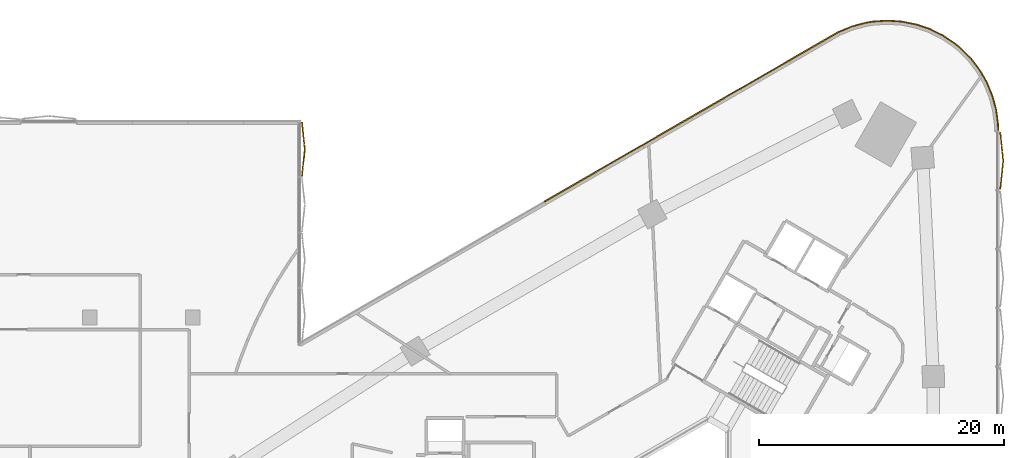
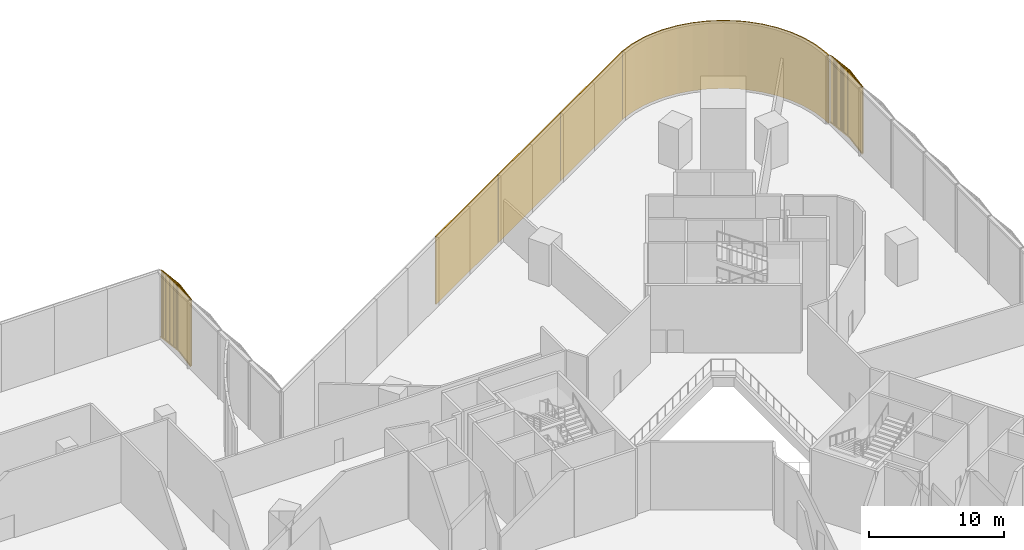
# One storey, part 32 of 32: 6 coverings.
"""IFC4 building model written with IfcOpenShell, lengths in metres."""

from ifc_helpers import new_model, si_unit, direction, frame, frame_2d, origin, origin_2d, place, context, subcontext, project, spatial, polyline, rectangle, outline, extrude, source, transform, mapped, material, layer, layer_set, type_object, element, save


model = new_model("IFC4")

# Units and contexts
model_context = context("Model", 3, precision=1e-05, world=origin(), true_north=direction((0.0, 1.0)))
body_context = subcontext(model_context, "Body", "Model", "MODEL_VIEW")
ifc_project = project(units=[si_unit("LENGTHUNIT", "METRE"), si_unit("AREAUNIT", "SQUARE_METRE"), si_unit("VOLUMEUNIT", "CUBIC_METRE"), si_unit("PLANEANGLEUNIT", "RADIAN"), si_unit("MASSUNIT", "GRAM", prefix="KILO")], contexts=[model_context])

# Site, building, storey
site_placement = place(None, origin())
site = spatial("IfcSite", under=ifc_project, at=site_placement, CompositionType="ELEMENT")
building_placement = place(site_placement, origin())
building = spatial("IfcBuilding", under=site, at=building_placement, Name="Tamra Quay Hotel Tower", CompositionType="ELEMENT")
storey_placement = place(building_placement, frame((0.0, 0.0, 7.5)))
storey = spatial("IfcBuildingStorey", under=building, at=storey_placement, Name="L01", CompositionType="ELEMENT", Elevation=7.5)

# Coverings
ifc_material_1 = material(Name="Precast concrete M60 terracotta-coloured pierced relief", Category="masonry")
ifc_layer = layer(ifc_material_1, 0.10009765625)
ifc_layer_set = layer_set([ifc_layer], Name="PIERCED RELIEF PANEL 100")
covering_type_1 = type_object("IfcCoveringType", Name="PIERCED RELIEF PANEL 100", PredefinedType="CLADDING", material=ifc_layer_set)
covering_1_placement = place(storey_placement, origin())
element("IfcCovering", 1, at=covering_1_placement, inside=storey, type_object=covering_type_1, Name="Relief panel L01.c2", PredefinedType="CLADDING", context=body_context, shape_type="SweptSolid", body=[
    extrude(outline(polyline([(27.0, 31.177001953125), (26.980712890625, 31.765625), (26.8271484375, 32.9326171875), (26.5224609375, 34.06982421875), (26.07177734375, 35.157470703125), (25.483154296875, 36.177001953125), (24.7666015625, 37.111083984375), (23.93408203125, 37.943359375), (23.478759765625, 38.317138671875), (22.5, 38.97119140625), (21.444091796875, 39.491943359375), (20.329345703125, 39.870361328125), (19.1748046875, 40.099853515625), (18.0, 40.177001953125), (16.8251953125, 40.099853515625), (16.244140625, 40.00390625), (15.10693359375, 39.69921875), (14.019287109375, 39.248779296875), (13.981201171875, 39.341064453125), (15.074951171875, 39.7939453125), (16.22314453125, 40.101806640625), (16.813720703125, 40.19921875), (18.0, 40.27685546875), (19.187744140625, 40.198974609375), (20.355224609375, 39.966796875), (21.482421875, 39.584228515625), (22.550048828125, 39.057861328125), (23.538330078125, 38.3974609375), (24.001220703125, 38.017578125), (24.841796875, 37.177001953125), (25.56640625, 36.232666015625), (26.16162109375, 35.20166015625), (26.616943359375, 34.10205078125), (26.925048828125, 32.9521484375), (27.080322265625, 31.773681640625), (27.099853515625, 31.18017578125), (27.0, 31.177001953125)])), origin(), (0.0, 0.0, 1.0), 6.14990234375),
])
for number, where, z_axis, x_axis, name in (
    (2, (9.99267578125, 36.983642578125, 0.0), (0.0, 0.0, 1.0), (-0.866214936261, -0.499671576337, 0.0), "Relief panel L01.NW.00"),
    (3, (1.989013671875, 32.366943359375, 0.0), (0.0, 0.0, 1.0), (-0.866214936261, -0.499671576337, 0.0), "Relief panel L01.NW.02"),
    (4, (-6.014404296875, 27.75, 0.0), (0.0, 0.0, 1.0), (-0.866214936261, -0.499671576337, 0.0), "Relief panel L01.NW.04"),
):
    element("IfcCovering", number, at=place(storey_placement, frame(where, z_axis=z_axis, x_axis=x_axis)), inside=storey, type_object=covering_type_1, Name=name, PredefinedType="CLADDING", context=body_context, shape_type="SweptSolid", body=[
        extrude(rectangle(XDim=9.2197265625, YDim=0.10009765625, at=origin_2d()), origin(), (0.0, 0.0, 1.0), 6.14990234375),
    ])
ifc_material_2 = material(Name="Terracotta baguette extruded", Category="masonry")
covering_type_2 = type_object("IfcCoveringType", Name="BAGUETTE SCREEN PODIUM-SHALLOW H6150", PredefinedType="USERDEFINED", material=ifc_material_2)
shared_shape_1 = source(origin(), body_context, "Body", "SweptSolid", [
    extrude(rectangle(XDim=2.234619140625, YDim=0.06005859375, at=frame_2d((1.1171875, 0.030029296875))), frame((-2.228759765625, -0.0576171875, -0.1201171875), z_axis=(0.0, 0.0, 1.0), x_axis=(0.994521895368, -0.104528463268, 0.0)), (0.0, 0.0, 1.0), 0.1201171875),
    extrude(rectangle(XDim=2.234619140625, YDim=0.06005859375, at=frame_2d((1.1171875, 0.030029296875))), frame((-2.228759765625, -0.0576171875, -6.14990234375), z_axis=(0.0, 0.0, 1.0), x_axis=(0.994521895368, -0.104528463268, 0.0)), (0.0, 0.0, 1.0), 0.1201171875),
    extrude(rectangle(XDim=0.094970703125, YDim=0.10009765625, at=frame_2d((0.04736328125, 0.050048828125))), frame((-2.219482421875, -0.13330078125, -6.090087890625)), (0.0, 0.0, 1.0), 6.030029296875),
    extrude(rectangle(XDim=0.094970703125, YDim=0.10009765625, at=frame_2d((0.04736328125, 0.050048828125))), frame((-2.118408203125, -0.14404296875, -6.090087890625)), (0.0, 0.0, 1.0), 6.030029296875),
    extrude(rectangle(XDim=0.094970703125, YDim=0.10009765625, at=frame_2d((0.04736328125, 0.050048828125))), frame((-2.017333984375, -0.154541015625, -6.090087890625)), (0.0, 0.0, 1.0), 6.030029296875),
    extrude(rectangle(XDim=0.094970703125, YDim=0.10009765625, at=frame_2d((0.04736328125, 0.050048828125))), frame((-1.91650390625, -0.1650390625, -6.090087890625)), (0.0, 0.0, 1.0), 6.030029296875),
    extrude(rectangle(XDim=0.094970703125, YDim=0.10009765625, at=frame_2d((0.04736328125, 0.050048828125))), frame((-1.8154296875, -0.17578125, -6.090087890625)), (0.0, 0.0, 1.0), 6.030029296875),
    extrude(rectangle(XDim=0.094970703125, YDim=0.10009765625, at=frame_2d((0.04736328125, 0.050048828125))), frame((-1.71435546875, -0.186279296875, -6.090087890625)), (0.0, 0.0, 1.0), 6.030029296875),
    extrude(rectangle(XDim=0.094970703125, YDim=0.10009765625, at=frame_2d((0.04736328125, 0.050048828125))), frame((-1.61328125, -0.197021484375, -6.090087890625)), (0.0, 0.0, 1.0), 6.030029296875),
    extrude(rectangle(XDim=0.094970703125, YDim=0.10009765625, at=frame_2d((0.04736328125, 0.050048828125))), frame((-1.512451171875, -0.20751953125, -6.090087890625)), (0.0, 0.0, 1.0), 6.030029296875),
    extrude(rectangle(XDim=0.094970703125, YDim=0.10009765625, at=frame_2d((0.04736328125, 0.050048828125))), frame((-1.411376953125, -0.21826171875, -6.090087890625)), (0.0, 0.0, 1.0), 6.030029296875),
    extrude(rectangle(XDim=0.094970703125, YDim=0.10009765625, at=frame_2d((0.04736328125, 0.050048828125))), frame((-1.310302734375, -0.228759765625, -6.090087890625)), (0.0, 0.0, 1.0), 6.030029296875),
    extrude(rectangle(XDim=0.094970703125, YDim=0.10009765625, at=frame_2d((0.04736328125, 0.050048828125))), frame((-1.209228515625, -0.239501953125, -6.090087890625)), (0.0, 0.0, 1.0), 6.030029296875),
    extrude(rectangle(XDim=0.094970703125, YDim=0.10009765625, at=frame_2d((0.04736328125, 0.050048828125))), frame((-1.108154296875, -0.25, -6.090087890625)), (0.0, 0.0, 1.0), 6.030029296875),
    extrude(rectangle(XDim=0.094970703125, YDim=0.10009765625, at=frame_2d((0.04736328125, 0.050048828125))), frame((-1.00732421875, -0.2607421875, -6.090087890625)), (0.0, 0.0, 1.0), 6.030029296875),
    extrude(rectangle(XDim=0.094970703125, YDim=0.10009765625, at=frame_2d((0.04736328125, 0.050048828125))), frame((-0.90625, -0.271240234375, -6.090087890625)), (0.0, 0.0, 1.0), 6.030029296875),
    extrude(rectangle(XDim=0.094970703125, YDim=0.10009765625, at=frame_2d((0.04736328125, 0.050048828125))), frame((-0.80517578125, -0.281982421875, -6.090087890625)), (0.0, 0.0, 1.0), 6.030029296875),
    extrude(rectangle(XDim=0.094970703125, YDim=0.10009765625, at=frame_2d((0.04736328125, 0.050048828125))), frame((-0.7041015625, -0.29248046875, -6.090087890625)), (0.0, 0.0, 1.0), 6.030029296875),
    extrude(rectangle(XDim=0.094970703125, YDim=0.10009765625, at=frame_2d((0.04736328125, 0.050048828125))), frame((-0.60302734375, -0.30322265625, -6.090087890625)), (0.0, 0.0, 1.0), 6.030029296875),
    extrude(rectangle(XDim=0.094970703125, YDim=0.10009765625, at=frame_2d((0.04736328125, 0.050048828125))), frame((-0.502197265625, -0.313720703125, -6.090087890625)), (0.0, 0.0, 1.0), 6.030029296875),
    extrude(rectangle(XDim=0.094970703125, YDim=0.10009765625, at=frame_2d((0.04736328125, 0.050048828125))), frame((-0.401123046875, -0.324462890625, -6.090087890625)), (0.0, 0.0, 1.0), 6.030029296875),
    extrude(rectangle(XDim=0.094970703125, YDim=0.10009765625, at=frame_2d((0.04736328125, 0.050048828125))), frame((-0.300048828125, -0.3349609375, -6.090087890625)), (0.0, 0.0, 1.0), 6.030029296875),
    extrude(rectangle(XDim=0.094970703125, YDim=0.10009765625, at=frame_2d((0.04736328125, 0.050048828125))), frame((-0.198974609375, -0.345703125, -6.090087890625)), (0.0, 0.0, 1.0), 6.030029296875),
    extrude(rectangle(XDim=0.094970703125, YDim=0.10009765625, at=frame_2d((0.04736328125, 0.050048828125))), frame((-0.097900390625, -0.356201171875, -6.090087890625)), (0.0, 0.0, 1.0), 6.030029296875),
    extrude(rectangle(XDim=2.234619140625, YDim=0.06005859375, at=frame_2d((1.1171875, 0.030029296875))), frame((0.00634765625, -0.291259765625, -0.1201171875), z_axis=(0.0, 0.0, 1.0), x_axis=(0.994521895368, 0.104528463268, 0.0)), (0.0, 0.0, 1.0), 0.1201171875),
    extrude(rectangle(XDim=2.234619140625, YDim=0.06005859375, at=frame_2d((1.1171875, 0.030029296875))), frame((0.00634765625, -0.291259765625, -6.14990234375), z_axis=(0.0, 0.0, 1.0), x_axis=(0.994521895368, 0.104528463268, 0.0)), (0.0, 0.0, 1.0), 0.1201171875),
    extrude(rectangle(XDim=0.094970703125, YDim=0.10009765625, at=frame_2d((0.04736328125, 0.050048828125))), frame((0.0029296875, -0.356201171875, -6.090087890625)), (0.0, 0.0, 1.0), 6.030029296875),
    extrude(rectangle(XDim=0.094970703125, YDim=0.10009765625, at=frame_2d((0.04736328125, 0.050048828125))), frame((0.10400390625, -0.345703125, -6.090087890625)), (0.0, 0.0, 1.0), 6.030029296875),
    extrude(rectangle(XDim=0.094970703125, YDim=0.10009765625, at=frame_2d((0.04736328125, 0.050048828125))), frame((0.205078125, -0.3349609375, -6.090087890625)), (0.0, 0.0, 1.0), 6.030029296875),
    extrude(rectangle(XDim=0.094970703125, YDim=0.10009765625, at=frame_2d((0.04736328125, 0.050048828125))), frame((0.30615234375, -0.324462890625, -6.090087890625)), (0.0, 0.0, 1.0), 6.030029296875),
    extrude(rectangle(XDim=0.094970703125, YDim=0.10009765625, at=frame_2d((0.04736328125, 0.050048828125))), frame((0.406982421875, -0.313720703125, -6.090087890625)), (0.0, 0.0, 1.0), 6.030029296875),
    extrude(rectangle(XDim=0.094970703125, YDim=0.10009765625, at=frame_2d((0.04736328125, 0.050048828125))), frame((0.508056640625, -0.30322265625, -6.090087890625)), (0.0, 0.0, 1.0), 6.030029296875),
    extrude(rectangle(XDim=0.094970703125, YDim=0.10009765625, at=frame_2d((0.04736328125, 0.050048828125))), frame((0.609130859375, -0.29248046875, -6.090087890625)), (0.0, 0.0, 1.0), 6.030029296875),
    extrude(rectangle(XDim=0.094970703125, YDim=0.10009765625, at=frame_2d((0.04736328125, 0.050048828125))), frame((0.710205078125, -0.281982421875, -6.090087890625)), (0.0, 0.0, 1.0), 6.030029296875),
    extrude(rectangle(XDim=0.094970703125, YDim=0.10009765625, at=frame_2d((0.04736328125, 0.050048828125))), frame((0.811279296875, -0.271240234375, -6.090087890625)), (0.0, 0.0, 1.0), 6.030029296875),
    extrude(rectangle(XDim=0.094970703125, YDim=0.10009765625, at=frame_2d((0.04736328125, 0.050048828125))), frame((0.912109375, -0.2607421875, -6.090087890625)), (0.0, 0.0, 1.0), 6.030029296875),
    extrude(rectangle(XDim=0.094970703125, YDim=0.10009765625, at=frame_2d((0.04736328125, 0.050048828125))), frame((1.01318359375, -0.25, -6.090087890625)), (0.0, 0.0, 1.0), 6.030029296875),
    extrude(rectangle(XDim=0.094970703125, YDim=0.10009765625, at=frame_2d((0.04736328125, 0.050048828125))), frame((1.1142578125, -0.239501953125, -6.090087890625)), (0.0, 0.0, 1.0), 6.030029296875),
    extrude(rectangle(XDim=0.094970703125, YDim=0.10009765625, at=frame_2d((0.04736328125, 0.050048828125))), frame((1.21533203125, -0.228759765625, -6.090087890625)), (0.0, 0.0, 1.0), 6.030029296875),
    extrude(rectangle(XDim=0.094970703125, YDim=0.10009765625, at=frame_2d((0.04736328125, 0.050048828125))), frame((1.31640625, -0.21826171875, -6.090087890625)), (0.0, 0.0, 1.0), 6.030029296875),
    extrude(rectangle(XDim=0.094970703125, YDim=0.10009765625, at=frame_2d((0.04736328125, 0.050048828125))), frame((1.417236328125, -0.20751953125, -6.090087890625)), (0.0, 0.0, 1.0), 6.030029296875),
    extrude(rectangle(XDim=0.094970703125, YDim=0.10009765625, at=frame_2d((0.04736328125, 0.050048828125))), frame((1.518310546875, -0.197021484375, -6.090087890625)), (0.0, 0.0, 1.0), 6.030029296875),
    extrude(rectangle(XDim=0.094970703125, YDim=0.10009765625, at=frame_2d((0.04736328125, 0.050048828125))), frame((1.619384765625, -0.186279296875, -6.090087890625)), (0.0, 0.0, 1.0), 6.030029296875),
    extrude(rectangle(XDim=0.094970703125, YDim=0.10009765625, at=frame_2d((0.04736328125, 0.050048828125))), frame((1.720458984375, -0.17578125, -6.090087890625)), (0.0, 0.0, 1.0), 6.030029296875),
    extrude(rectangle(XDim=0.094970703125, YDim=0.10009765625, at=frame_2d((0.04736328125, 0.050048828125))), frame((1.821533203125, -0.1650390625, -6.090087890625)), (0.0, 0.0, 1.0), 6.030029296875),
    extrude(rectangle(XDim=0.094970703125, YDim=0.10009765625, at=frame_2d((0.04736328125, 0.050048828125))), frame((1.92236328125, -0.154541015625, -6.090087890625)), (0.0, 0.0, 1.0), 6.030029296875),
    extrude(rectangle(XDim=0.094970703125, YDim=0.10009765625, at=frame_2d((0.04736328125, 0.050048828125))), frame((2.0234375, -0.14404296875, -6.090087890625)), (0.0, 0.0, 1.0), 6.030029296875),
    extrude(rectangle(XDim=0.094970703125, YDim=0.10009765625, at=frame_2d((0.04736328125, 0.050048828125))), frame((2.12451171875, -0.13330078125, -6.090087890625)), (0.0, 0.0, 1.0), 6.030029296875),
])
covering_2_placement = place(storey_placement, frame((-29.85205078125, 29.73193359375, 6.14990234375), z_axis=(0.0, 0.0, 1.0), x_axis=(0.0, 1.0, 0.0)))
element("IfcCovering", 5, at=covering_2_placement, inside=storey, type_object=covering_type_2, Name="Baguette screen L01.E.f20", ObjectType="BAGUETTE SCREEN", PredefinedType="USERDEFINED", context=body_context, shape_type="MappedRepresentation", body=[
    mapped(shared_shape_1, transform((0.0, 0.0, 0.0), scale=1.0)),
])
shared_shape_2 = source(origin(), body_context, "Body", "SweptSolid", [
    extrude(rectangle(XDim=2.365478515625, YDim=0.06005859375, at=frame_2d((1.1826171875, 0.030029296875))), frame((-2.35888671875, -0.0576171875, -0.1201171875), z_axis=(0.0, 0.0, 1.0), x_axis=(0.994521895368, -0.104528463268, 0.0)), (0.0, 0.0, 1.0), 0.1201171875),
    extrude(rectangle(XDim=2.365478515625, YDim=0.06005859375, at=frame_2d((1.1826171875, 0.030029296875))), frame((-2.35888671875, -0.0576171875, -6.14990234375), z_axis=(0.0, 0.0, 1.0), x_axis=(0.994521895368, -0.104528463268, 0.0)), (0.0, 0.0, 1.0), 0.1201171875),
    extrude(rectangle(XDim=0.094970703125, YDim=0.10009765625, at=frame_2d((0.04736328125, 0.050048828125))), frame((-2.35107421875, -0.133056640625, -6.090087890625)), (0.0, 0.0, 1.0), 6.030029296875),
    extrude(rectangle(XDim=0.094970703125, YDim=0.10009765625, at=frame_2d((0.04736328125, 0.050048828125))), frame((-2.2529296875, -0.1435546875, -6.090087890625)), (0.0, 0.0, 1.0), 6.030029296875),
    extrude(rectangle(XDim=0.094970703125, YDim=0.10009765625, at=frame_2d((0.04736328125, 0.050048828125))), frame((-2.155029296875, -0.15380859375, -6.090087890625)), (0.0, 0.0, 1.0), 6.030029296875),
    extrude(rectangle(XDim=0.094970703125, YDim=0.10009765625, at=frame_2d((0.04736328125, 0.050048828125))), frame((-2.056884765625, -0.1640625, -6.090087890625)), (0.0, 0.0, 1.0), 6.030029296875),
    extrude(rectangle(XDim=0.094970703125, YDim=0.10009765625, at=frame_2d((0.04736328125, 0.050048828125))), frame((-1.958984375, -0.17431640625, -6.090087890625)), (0.0, 0.0, 1.0), 6.030029296875),
    extrude(rectangle(XDim=0.094970703125, YDim=0.10009765625, at=frame_2d((0.04736328125, 0.050048828125))), frame((-1.86083984375, -0.1845703125, -6.090087890625)), (0.0, 0.0, 1.0), 6.030029296875),
    extrude(rectangle(XDim=0.094970703125, YDim=0.10009765625, at=frame_2d((0.04736328125, 0.050048828125))), frame((-1.762939453125, -0.195068359375, -6.090087890625)), (0.0, 0.0, 1.0), 6.030029296875),
    extrude(rectangle(XDim=0.094970703125, YDim=0.10009765625, at=frame_2d((0.04736328125, 0.050048828125))), frame((-1.664794921875, -0.205322265625, -6.090087890625)), (0.0, 0.0, 1.0), 6.030029296875),
    extrude(rectangle(XDim=0.094970703125, YDim=0.10009765625, at=frame_2d((0.04736328125, 0.050048828125))), frame((-1.56689453125, -0.215576171875, -6.090087890625)), (0.0, 0.0, 1.0), 6.030029296875),
    extrude(rectangle(XDim=0.094970703125, YDim=0.10009765625, at=frame_2d((0.04736328125, 0.050048828125))), frame((-1.46875, -0.225830078125, -6.090087890625)), (0.0, 0.0, 1.0), 6.030029296875),
    extrude(rectangle(XDim=0.094970703125, YDim=0.10009765625, at=frame_2d((0.04736328125, 0.050048828125))), frame((-1.370849609375, -0.236083984375, -6.090087890625)), (0.0, 0.0, 1.0), 6.030029296875),
    extrude(rectangle(XDim=0.094970703125, YDim=0.10009765625, at=frame_2d((0.04736328125, 0.050048828125))), frame((-1.272705078125, -0.24658203125, -6.090087890625)), (0.0, 0.0, 1.0), 6.030029296875),
    extrude(rectangle(XDim=0.094970703125, YDim=0.10009765625, at=frame_2d((0.04736328125, 0.050048828125))), frame((-1.1748046875, -0.2568359375, -6.090087890625)), (0.0, 0.0, 1.0), 6.030029296875),
    extrude(rectangle(XDim=0.094970703125, YDim=0.10009765625, at=frame_2d((0.04736328125, 0.050048828125))), frame((-1.07666015625, -0.26708984375, -6.090087890625)), (0.0, 0.0, 1.0), 6.030029296875),
    extrude(rectangle(XDim=0.094970703125, YDim=0.10009765625, at=frame_2d((0.04736328125, 0.050048828125))), frame((-0.978759765625, -0.27734375, -6.090087890625)), (0.0, 0.0, 1.0), 6.030029296875),
    extrude(rectangle(XDim=0.094970703125, YDim=0.10009765625, at=frame_2d((0.04736328125, 0.050048828125))), frame((-0.880615234375, -0.28759765625, -6.090087890625)), (0.0, 0.0, 1.0), 6.030029296875),
    extrude(rectangle(XDim=0.094970703125, YDim=0.10009765625, at=frame_2d((0.04736328125, 0.050048828125))), frame((-0.78271484375, -0.298095703125, -6.090087890625)), (0.0, 0.0, 1.0), 6.030029296875),
    extrude(rectangle(XDim=0.094970703125, YDim=0.10009765625, at=frame_2d((0.04736328125, 0.050048828125))), frame((-0.6845703125, -0.308349609375, -6.090087890625)), (0.0, 0.0, 1.0), 6.030029296875),
    extrude(rectangle(XDim=0.094970703125, YDim=0.10009765625, at=frame_2d((0.04736328125, 0.050048828125))), frame((-0.586669921875, -0.318603515625, -6.090087890625)), (0.0, 0.0, 1.0), 6.030029296875),
    extrude(rectangle(XDim=0.094970703125, YDim=0.10009765625, at=frame_2d((0.04736328125, 0.050048828125))), frame((-0.488525390625, -0.328857421875, -6.090087890625)), (0.0, 0.0, 1.0), 6.030029296875),
    extrude(rectangle(XDim=0.094970703125, YDim=0.10009765625, at=frame_2d((0.04736328125, 0.050048828125))), frame((-0.390625, -0.339111328125, -6.090087890625)), (0.0, 0.0, 1.0), 6.030029296875),
    extrude(rectangle(XDim=0.094970703125, YDim=0.10009765625, at=frame_2d((0.04736328125, 0.050048828125))), frame((-0.29248046875, -0.349609375, -6.090087890625)), (0.0, 0.0, 1.0), 6.030029296875),
    extrude(rectangle(XDim=0.094970703125, YDim=0.10009765625, at=frame_2d((0.04736328125, 0.050048828125))), frame((-0.194580078125, -0.35986328125, -6.090087890625)), (0.0, 0.0, 1.0), 6.030029296875),
    extrude(rectangle(XDim=0.094970703125, YDim=0.10009765625, at=frame_2d((0.04736328125, 0.050048828125))), frame((-0.096435546875, -0.3701171875, -6.090087890625)), (0.0, 0.0, 1.0), 6.030029296875),
    extrude(rectangle(XDim=2.365478515625, YDim=0.06005859375, at=frame_2d((1.1826171875, 0.030029296875))), frame((0.00634765625, -0.304931640625, -0.1201171875), z_axis=(0.0, 0.0, 1.0), x_axis=(0.994521895368, 0.104528463268, 0.0)), (0.0, 0.0, 1.0), 0.1201171875),
    extrude(rectangle(XDim=2.365478515625, YDim=0.06005859375, at=frame_2d((1.1826171875, 0.030029296875))), frame((0.00634765625, -0.304931640625, -6.14990234375), z_axis=(0.0, 0.0, 1.0), x_axis=(0.994521895368, 0.104528463268, 0.0)), (0.0, 0.0, 1.0), 0.1201171875),
    extrude(rectangle(XDim=0.094970703125, YDim=0.10009765625, at=frame_2d((0.04736328125, 0.050048828125))), frame((0.00146484375, -0.3701171875, -6.090087890625)), (0.0, 0.0, 1.0), 6.030029296875),
    extrude(rectangle(XDim=0.094970703125, YDim=0.10009765625, at=frame_2d((0.04736328125, 0.050048828125))), frame((0.099609375, -0.35986328125, -6.090087890625)), (0.0, 0.0, 1.0), 6.030029296875),
    extrude(rectangle(XDim=0.094970703125, YDim=0.10009765625, at=frame_2d((0.04736328125, 0.050048828125))), frame((0.197509765625, -0.349609375, -6.090087890625)), (0.0, 0.0, 1.0), 6.030029296875),
    extrude(rectangle(XDim=0.094970703125, YDim=0.10009765625, at=frame_2d((0.04736328125, 0.050048828125))), frame((0.295654296875, -0.339111328125, -6.090087890625)), (0.0, 0.0, 1.0), 6.030029296875),
    extrude(rectangle(XDim=0.094970703125, YDim=0.10009765625, at=frame_2d((0.04736328125, 0.050048828125))), frame((0.3935546875, -0.328857421875, -6.090087890625)), (0.0, 0.0, 1.0), 6.030029296875),
    extrude(rectangle(XDim=0.094970703125, YDim=0.10009765625, at=frame_2d((0.04736328125, 0.050048828125))), frame((0.49169921875, -0.318603515625, -6.090087890625)), (0.0, 0.0, 1.0), 6.030029296875),
    extrude(rectangle(XDim=0.094970703125, YDim=0.10009765625, at=frame_2d((0.04736328125, 0.050048828125))), frame((0.589599609375, -0.308349609375, -6.090087890625)), (0.0, 0.0, 1.0), 6.030029296875),
    extrude(rectangle(XDim=0.094970703125, YDim=0.10009765625, at=frame_2d((0.04736328125, 0.050048828125))), frame((0.687744140625, -0.298095703125, -6.090087890625)), (0.0, 0.0, 1.0), 6.030029296875),
    extrude(rectangle(XDim=0.094970703125, YDim=0.10009765625, at=frame_2d((0.04736328125, 0.050048828125))), frame((0.78564453125, -0.28759765625, -6.090087890625)), (0.0, 0.0, 1.0), 6.030029296875),
    extrude(rectangle(XDim=0.094970703125, YDim=0.10009765625, at=frame_2d((0.04736328125, 0.050048828125))), frame((0.8837890625, -0.27734375, -6.090087890625)), (0.0, 0.0, 1.0), 6.030029296875),
    extrude(rectangle(XDim=0.094970703125, YDim=0.10009765625, at=frame_2d((0.04736328125, 0.050048828125))), frame((0.981689453125, -0.26708984375, -6.090087890625)), (0.0, 0.0, 1.0), 6.030029296875),
    extrude(rectangle(XDim=0.094970703125, YDim=0.10009765625, at=frame_2d((0.04736328125, 0.050048828125))), frame((1.079833984375, -0.2568359375, -6.090087890625)), (0.0, 0.0, 1.0), 6.030029296875),
    extrude(rectangle(XDim=0.094970703125, YDim=0.10009765625, at=frame_2d((0.04736328125, 0.050048828125))), frame((1.177734375, -0.24658203125, -6.090087890625)), (0.0, 0.0, 1.0), 6.030029296875),
    extrude(rectangle(XDim=0.094970703125, YDim=0.10009765625, at=frame_2d((0.04736328125, 0.050048828125))), frame((1.27587890625, -0.236083984375, -6.090087890625)), (0.0, 0.0, 1.0), 6.030029296875),
    extrude(rectangle(XDim=0.094970703125, YDim=0.10009765625, at=frame_2d((0.04736328125, 0.050048828125))), frame((1.373779296875, -0.225830078125, -6.090087890625)), (0.0, 0.0, 1.0), 6.030029296875),
    extrude(rectangle(XDim=0.094970703125, YDim=0.10009765625, at=frame_2d((0.04736328125, 0.050048828125))), frame((1.471923828125, -0.215576171875, -6.090087890625)), (0.0, 0.0, 1.0), 6.030029296875),
    extrude(rectangle(XDim=0.094970703125, YDim=0.10009765625, at=frame_2d((0.04736328125, 0.050048828125))), frame((1.56982421875, -0.205322265625, -6.090087890625)), (0.0, 0.0, 1.0), 6.030029296875),
    extrude(rectangle(XDim=0.094970703125, YDim=0.10009765625, at=frame_2d((0.04736328125, 0.050048828125))), frame((1.66796875, -0.195068359375, -6.090087890625)), (0.0, 0.0, 1.0), 6.030029296875),
    extrude(rectangle(XDim=0.094970703125, YDim=0.10009765625, at=frame_2d((0.04736328125, 0.050048828125))), frame((1.765869140625, -0.1845703125, -6.090087890625)), (0.0, 0.0, 1.0), 6.030029296875),
    extrude(rectangle(XDim=0.094970703125, YDim=0.10009765625, at=frame_2d((0.04736328125, 0.050048828125))), frame((1.864013671875, -0.17431640625, -6.090087890625)), (0.0, 0.0, 1.0), 6.030029296875),
    extrude(rectangle(XDim=0.094970703125, YDim=0.10009765625, at=frame_2d((0.04736328125, 0.050048828125))), frame((1.9619140625, -0.1640625, -6.090087890625)), (0.0, 0.0, 1.0), 6.030029296875),
    extrude(rectangle(XDim=0.094970703125, YDim=0.10009765625, at=frame_2d((0.04736328125, 0.050048828125))), frame((2.06005859375, -0.15380859375, -6.090087890625)), (0.0, 0.0, 1.0), 6.030029296875),
    extrude(rectangle(XDim=0.094970703125, YDim=0.10009765625, at=frame_2d((0.04736328125, 0.050048828125))), frame((2.157958984375, -0.1435546875, -6.090087890625)), (0.0, 0.0, 1.0), 6.030029296875),
    extrude(rectangle(XDim=0.094970703125, YDim=0.10009765625, at=frame_2d((0.04736328125, 0.050048828125))), frame((2.256103515625, -0.133056640625, -6.090087890625)), (0.0, 0.0, 1.0), 6.030029296875),
])
covering_3_placement = place(storey_placement, frame((27.14794921875, 28.77880859375, 6.14990234375), z_axis=(0.0, 0.0, 1.0), x_axis=(0.0, 1.0, 0.0)))
element("IfcCovering", 6, at=covering_3_placement, inside=storey, type_object=covering_type_2, Name="Baguette screen L01.E.f16", ObjectType="BAGUETTE SCREEN", PredefinedType="USERDEFINED", context=body_context, shape_type="MappedRepresentation", body=[
    mapped(shared_shape_2, transform((0.0, 0.0, 0.0), scale=1.0)),
])

save(model, "model.ifc")
